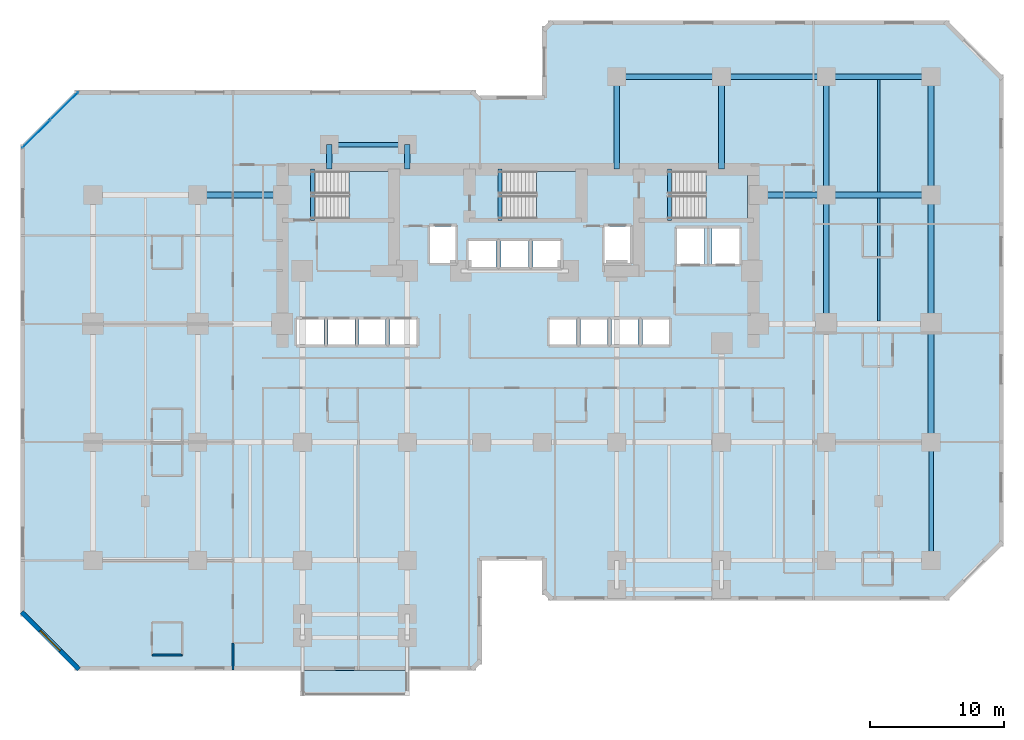
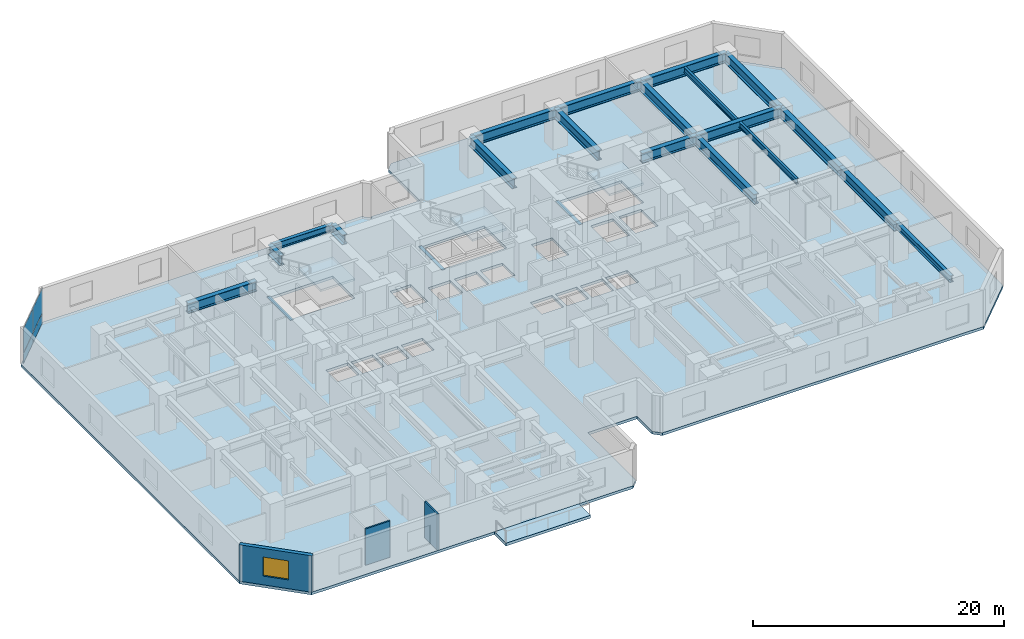
# One storey, part 4 of 12: 22 beams, 5 slabs, 4 plates, 3 walls, 1 window, 1 opening, 4 elements without a shape of their own.
"""IFC4 building model written with IfcOpenShell, lengths in metres."""

from ifc_helpers import new_model, si_unit, direction, frame, frame_2d, origin, origin_2d, place, context, subcontext, project, spatial, polyline, rectangle, i_section, outline, extrude, material, layer, layer_set, material_profile, profile_set, type_object, element, fill, aggregate, save


model = new_model("IFC4")

# Units and contexts
model_context = context("Model", 3, precision=1e-05, world=origin(), true_north=direction((0.0, 1.0)))
body_context = subcontext(model_context, "Body", "Model", "MODEL_VIEW")
ifc_project = project(units=[si_unit("LENGTHUNIT", "METRE"), si_unit("AREAUNIT", "SQUARE_METRE"), si_unit("VOLUMEUNIT", "CUBIC_METRE"), si_unit("PLANEANGLEUNIT", "RADIAN"), si_unit("MASSUNIT", "GRAM", prefix="KILO")], contexts=[model_context])

# Site, building, storey
site_placement = place(None, origin())
site = spatial("IfcSite", under=ifc_project, at=site_placement, CompositionType="ELEMENT")
building_placement = place(site_placement, origin())
building = spatial("IfcBuilding", under=site, at=building_placement, Name="Kestravale Grand Hotel", CompositionType="ELEMENT")
storey_placement = place(building_placement, frame((0.0, 0.0, 60.199951171875)))
storey = spatial("IfcBuildingStorey", under=building, at=storey_placement, Name="L14", CompositionType="ELEMENT", Elevation=60.199951171875)

# Beams
ifc_material_1 = material(Name="Steel ASTM A992 Grade 50", Category="steel")
ifc_material_profile_1 = material_profile(ifc_material_1, i_section(OverallWidth=0.2099609375, OverallDepth=0.535888671875, WebThickness=0.010986328125, FlangeThickness=0.017333984375, FilletRadius=0.017578125, at=origin_2d()))
ifc_profile_set_1 = profile_set([ifc_material_profile_1], Name="Steel ASTM A992 Grade 50")
beam_type_1 = type_object("IfcBeamType", Name="B-FLR-JST21", PredefinedType="JOIST", material=ifc_profile_set_1)
beam_1_placement = place(storey_placement, frame((66.300048828125, 29.011962890625, 3.27197265625), z_axis=(0.0, 1.0, 0.0), x_axis=(-1.0, 0.0, 0.0)))
element("IfcBeam", 1, at=beam_1_placement, inside=storey, type_object=beam_type_1, Name="L14 floor joist 10-11/E-F #1", PredefinedType="JOIST", context=body_context, shape_type="SweptSolid", body=[
    extrude(i_section(OverallWidth=0.2099609375, OverallDepth=0.535888671875, WebThickness=0.010986328125, FlangeThickness=0.017333984375, FilletRadius=0.017578125, at=origin_2d()), origin(), (0.0, 0.0, 1.0), 9.176025390625),
])
beam_2_placement = place(storey_placement, frame((66.300048828125, 38.612060546875, 3.27197265625), z_axis=(0.0, 1.0, 0.0), x_axis=(-1.0, 0.0, 0.0)))
element("IfcBeam", 2, at=beam_2_placement, inside=storey, type_object=beam_type_1, Name="L14 floor joist 10-11/F-G #1", PredefinedType="JOIST", context=body_context, shape_type="SweptSolid", body=[
    extrude(i_section(OverallWidth=0.2099609375, OverallDepth=0.535888671875, WebThickness=0.010986328125, FlangeThickness=0.017333984375, FilletRadius=0.017578125, at=origin_2d()), origin(), (0.0, 0.0, 1.0), 8.3759765625),
])
ifc_material_2 = material(Name="Concrete f'c 45 MPa", Category="concrete")
ifc_material_profile_2 = material_profile(ifc_material_2, rectangle(XDim=0.300048828125, YDim=0.39990234375, at=origin_2d()))
ifc_profile_set_2 = profile_set([ifc_material_profile_2], Name="Concrete f'c 45 MPa")
beam_type_2 = type_object("IfcBeamType", Name="B-FLR-LNT400", PredefinedType="LINTEL", material=ifc_profile_set_2)
for number, where, z_axis, x_axis, name in (
    (3, (24.159912109375, 36.52001953125, -0.199951171875), (0.0, 1.0, 0.0), (-1.0, 0.0, 0.0), "L14 ST1 flight bottom header beam"),
    (4, (38.110107421875, 36.52001953125, -0.199951171875), (0.0, 1.0, 0.0), (-1.0, 0.0, 0.0), "L14 ST2 flight bottom header beam"),
    (5, (50.7099609375, 36.52001953125, -0.199951171875), (0.0, 1.0, 0.0), (-1.0, 0.0, 0.0), "L14 ST3 flight bottom header beam"),
):
    element("IfcBeam", number, at=place(storey_placement, frame(where, z_axis=z_axis, x_axis=x_axis)), inside=storey, type_object=beam_type_2, Name=name, PredefinedType="LINTEL", context=body_context, shape_type="SweptSolid", body=[
        extrude(rectangle(XDim=0.300048828125, YDim=0.39990234375, at=origin_2d()), origin(), (0.0, 0.0, 1.0), 3.800048828125),
    ])
ifc_material_3 = material(Name="Steel ASTM A992 Grade 50", Category="steel")
ifc_material_profile_3 = material_profile(ifc_material_3, i_section(OverallWidth=0.324951171875, OverallDepth=0.612060546875, WebThickness=0.0126953125, FlangeThickness=0.01904296875, FilletRadius=0.018798828125, at=origin_2d()))
ifc_profile_set_3 = profile_set([ifc_material_profile_3], Name="Steel ASTM A992 Grade 50")
beam_type_3 = type_object("IfcBeamType", Name="B-FLR-W24A", PredefinedType="SPANDREL", material=ifc_profile_set_3)
beam_3_placement = place(storey_placement, frame((25.39990234375, 42.14990234375, 3.234130859375), z_axis=(1.0, 0.0, 0.0), x_axis=(0.0, 1.0, 0.0)))
element("IfcBeam", 6, at=beam_3_placement, inside=storey, type_object=beam_type_3, Name="L14 perimeter tie spandrel FN:4-5", PredefinedType="SPANDREL", context=body_context, shape_type="SweptSolid", body=[
    extrude(i_section(OverallWidth=0.324951171875, OverallDepth=0.612060546875, WebThickness=0.0126953125, FlangeThickness=0.01904296875, FilletRadius=0.018798828125, at=origin_2d()), origin(), (0.0, 0.0, 1.0), 5.800048828125),
])
beam_4_placement = place(storey_placement, frame((70.199951171875, 11.199951171875, 3.234130859375), z_axis=(0.0, 1.0, 0.0), x_axis=(-1.0, 0.0, 0.0)))
element("IfcBeam", 7, at=beam_4_placement, inside=storey, type_object=beam_type_3, Name="L14 spandrel 11:C-D", PredefinedType="SPANDREL", context=body_context, shape_type="SweptSolid", body=[
    extrude(i_section(OverallWidth=0.324951171875, OverallDepth=0.612060546875, WebThickness=0.0126953125, FlangeThickness=0.01904296875, FilletRadius=0.018798828125, at=origin_2d()), origin(), (0.0, 0.0, 1.0), 8.800048828125),
])
ifc_material_4 = material(Name="Steel ASTM A992 Grade 50", Category="steel")
ifc_material_profile_4 = material_profile(ifc_material_4, i_section(OverallWidth=0.424072265625, OverallDepth=0.947021484375, WebThickness=0.02392578125, FlangeThickness=0.042724609375, FilletRadius=0.0283203125, at=origin_2d()))
ifc_profile_set_4 = profile_set([ifc_material_profile_4], Name="Steel ASTM A992 Grade 50")
beam_type_4 = type_object("IfcBeamType", Name="B-GRD-W36", PredefinedType="BEAM", material=ifc_profile_set_4)
beam_5_placement = place(storey_placement, frame((15.60009765625, 38.39990234375, 3.066650390625), z_axis=(1.0, 0.0, 0.0), x_axis=(0.0, 1.0, 0.0)))
element("IfcBeam", 8, at=beam_5_placement, inside=storey, type_object=beam_type_4, Name="L14 girder F:3-CW", PredefinedType="BEAM", context=body_context, shape_type="SweptSolid", body=[
    extrude(i_section(OverallWidth=0.424072265625, OverallDepth=0.947021484375, WebThickness=0.02392578125, FlangeThickness=0.042724609375, FilletRadius=0.0283203125, at=origin_2d()), origin(), (0.0, 0.0, 1.0), 6.2998046875),
])
beam_6_placement = place(storey_placement, frame((57.35009765625, 38.39990234375, 3.066650390625), z_axis=(1.0, 0.0, 0.0), x_axis=(0.0, 1.0, 0.0)))
element("IfcBeam", 9, at=beam_6_placement, inside=storey, type_object=beam_type_4, Name="L14 girder F:CE-10", PredefinedType="BEAM", context=body_context, shape_type="SweptSolid", body=[
    extrude(i_section(OverallWidth=0.424072265625, OverallDepth=0.947021484375, WebThickness=0.02392578125, FlangeThickness=0.042724609375, FilletRadius=0.0283203125, at=origin_2d()), origin(), (0.0, 0.0, 1.0), 5.0498046875),
])
for number, where, z_axis, x_axis, name in (
    (10, (62.39990234375, 38.39990234375, 3.066650390625), (1.0, 0.0, 0.0), (0.0, 1.0, 0.0), "L14 girder F:10-11"),
    (11, (46.800048828125, 47.199951171875, 3.066650390625), (1.0, 0.0, 0.0), (0.0, 1.0, 0.0), "L14 girder G:8-9"),
):
    element("IfcBeam", number, at=place(storey_placement, frame(where, z_axis=z_axis, x_axis=x_axis)), inside=storey, type_object=beam_type_4, Name=name, PredefinedType="BEAM", context=body_context, shape_type="SweptSolid", body=[
        extrude(i_section(OverallWidth=0.424072265625, OverallDepth=0.947021484375, WebThickness=0.02392578125, FlangeThickness=0.042724609375, FilletRadius=0.0283203125, at=origin_2d()), origin(), (0.0, 0.0, 1.0), 7.800048828125),
    ])
beam_7_placement = place(storey_placement, frame((54.60009765625, 47.199951171875, 3.066650390625), z_axis=(1.0, 0.0, 0.0), x_axis=(0.0, 1.0, 0.0)))
element("IfcBeam", 12, at=beam_7_placement, inside=storey, type_object=beam_type_4, Name="L14 girder G:9-10", PredefinedType="BEAM", context=body_context, shape_type="SweptSolid", body=[
    extrude(i_section(OverallWidth=0.424072265625, OverallDepth=0.947021484375, WebThickness=0.02392578125, FlangeThickness=0.042724609375, FilletRadius=0.0283203125, at=origin_2d()), origin(), (0.0, 0.0, 1.0), 7.7998046875),
])
beam_8_placement = place(storey_placement, frame((62.39990234375, 47.199951171875, 3.066650390625), z_axis=(1.0, 0.0, 0.0), x_axis=(0.0, 1.0, 0.0)))
element("IfcBeam", 13, at=beam_8_placement, inside=storey, type_object=beam_type_4, Name="L14 girder G:10-11", PredefinedType="BEAM", context=body_context, shape_type="SweptSolid", body=[
    extrude(i_section(OverallWidth=0.424072265625, OverallDepth=0.947021484375, WebThickness=0.02392578125, FlangeThickness=0.042724609375, FilletRadius=0.0283203125, at=origin_2d()), origin(), (0.0, 0.0, 1.0), 7.800048828125),
])
beam_9_placement = place(storey_placement, frame((62.39990234375, 28.800048828125, 3.066650390625), z_axis=(0.0, 1.0, 0.0), x_axis=(-1.0, 0.0, 0.0)))
element("IfcBeam", 14, at=beam_9_placement, inside=storey, type_object=beam_type_4, Name="L14 girder 10:E-F", PredefinedType="BEAM", context=body_context, shape_type="SweptSolid", body=[
    extrude(i_section(OverallWidth=0.424072265625, OverallDepth=0.947021484375, WebThickness=0.02392578125, FlangeThickness=0.042724609375, FilletRadius=0.0283203125, at=origin_2d()), origin(), (0.0, 0.0, 1.0), 9.599853515625),
])
for number, where, z_axis, x_axis, name in (
    (15, (62.39990234375, 38.39990234375, 3.066650390625), (0.0, 1.0, 0.0), (-1.0, 0.0, 0.0), "L14 girder 10:F-G"),
    (16, (70.199951171875, 20.0, 3.066650390625), (0.0, 1.0, 0.0), (-1.0, 0.0, 0.0), "L14 girder 11:D-E"),
):
    element("IfcBeam", number, at=place(storey_placement, frame(where, z_axis=z_axis, x_axis=x_axis)), inside=storey, type_object=beam_type_4, Name=name, PredefinedType="BEAM", context=body_context, shape_type="SweptSolid", body=[
        extrude(i_section(OverallWidth=0.424072265625, OverallDepth=0.947021484375, WebThickness=0.02392578125, FlangeThickness=0.042724609375, FilletRadius=0.0283203125, at=origin_2d()), origin(), (0.0, 0.0, 1.0), 8.800048828125),
    ])
beam_10_placement = place(storey_placement, frame((70.199951171875, 28.800048828125, 3.066650390625), z_axis=(0.0, 1.0, 0.0), x_axis=(-1.0, 0.0, 0.0)))
element("IfcBeam", 17, at=beam_10_placement, inside=storey, type_object=beam_type_4, Name="L14 girder 11:E-F", PredefinedType="BEAM", context=body_context, shape_type="SweptSolid", body=[
    extrude(i_section(OverallWidth=0.424072265625, OverallDepth=0.947021484375, WebThickness=0.02392578125, FlangeThickness=0.042724609375, FilletRadius=0.0283203125, at=origin_2d()), origin(), (0.0, 0.0, 1.0), 9.599853515625),
])
beam_11_placement = place(storey_placement, frame((70.199951171875, 38.39990234375, 3.066650390625), z_axis=(0.0, 1.0, 0.0), x_axis=(-1.0, 0.0, 0.0)))
element("IfcBeam", 18, at=beam_11_placement, inside=storey, type_object=beam_type_4, Name="L14 girder 11:F-G", PredefinedType="BEAM", context=body_context, shape_type="SweptSolid", body=[
    extrude(i_section(OverallWidth=0.424072265625, OverallDepth=0.947021484375, WebThickness=0.02392578125, FlangeThickness=0.042724609375, FilletRadius=0.0283203125, at=origin_2d()), origin(), (0.0, 0.0, 1.0), 8.800048828125),
])
for number, where, z_axis, x_axis, name in (
    (19, (25.39990234375, 40.320068359375, 3.066650390625), (0.0, 1.0, 0.0), (-1.0, 0.0, 0.0), "L14 north wing tie girder 4:CN-FN"),
    (20, (31.199951171875, 40.320068359375, 3.066650390625), (0.0, 1.0, 0.0), (-1.0, 0.0, 0.0), "L14 north wing tie girder 5:CN-FN"),
):
    element("IfcBeam", number, at=place(storey_placement, frame(where, z_axis=z_axis, x_axis=x_axis)), inside=storey, type_object=beam_type_4, Name=name, PredefinedType="BEAM", context=body_context, shape_type="SweptSolid", body=[
        extrude(i_section(OverallWidth=0.424072265625, OverallDepth=0.947021484375, WebThickness=0.02392578125, FlangeThickness=0.042724609375, FilletRadius=0.0283203125, at=origin_2d()), origin(), (0.0, 0.0, 1.0), 1.829833984375),
    ])
for number, where, z_axis, x_axis, name in (
    (21, (46.800048828125, 40.320068359375, 3.066650390625), (0.0, 1.0, 0.0), (-1.0, 0.0, 0.0), "L14 north wing tie girder 8:CN-G"),
    (22, (54.60009765625, 40.320068359375, 3.066650390625), (0.0, 1.0, 0.0), (-1.0, 0.0, 0.0), "L14 north wing tie girder 9:CN-G"),
):
    element("IfcBeam", number, at=place(storey_placement, frame(where, z_axis=z_axis, x_axis=x_axis)), inside=storey, type_object=beam_type_4, Name=name, PredefinedType="BEAM", context=body_context, shape_type="SweptSolid", body=[
        extrude(i_section(OverallWidth=0.424072265625, OverallDepth=0.947021484375, WebThickness=0.02392578125, FlangeThickness=0.042724609375, FilletRadius=0.0283203125, at=origin_2d()), origin(), (0.0, 0.0, 1.0), 6.8798828125),
    ])

# Curtain wall, plates
ifc_material_5 = material(Name="Thermally broken champagne-bronze aluminium and low-E glazing", Category="aluminium")
ifc_layer_1 = layer(ifc_material_5, 0.199951171875)
ifc_layer_set_1 = layer_set([ifc_layer_1], Name="CW-Z1")
curtain_wall_type = type_object("IfcCurtainWallType", Name="CW-Z1", PredefinedType="NOTDEFINED", material=ifc_layer_set_1)
curtain_wall_placement = place(storey_placement, origin())
curtain_wall = element("IfcCurtainWall", 23, at=curtain_wall_placement, inside=storey, type_object=curtain_wall_type, Name="L14 unitised curtain wall 18", PredefinedType="NOTDEFINED")
ifc_material_6 = material(Name="Insulated clear low-E double glazing IGU", Category="glass")
ifc_layer_2 = layer(ifc_material_6, 0.035888671875)
ifc_layer_set_2 = layer_set([ifc_layer_2], Name="CW-PNL-36")
plate_type = type_object("IfcPlateType", Name="CW-PNL-36", PredefinedType="CURTAIN_PANEL", material=ifc_layer_set_2)
plate_1_placement = place(storey_placement, frame((5.6640625, 45.023681640625, 0.074951171875), z_axis=(0.0, 0.0, 1.0), x_axis=(-0.707106781187, -0.707106781187, 0.0)))
plate_1 = element("IfcPlate", 24, at=plate_1_placement, type_object=plate_type, Name="CW-Z1 panel 1.1", PredefinedType="CURTAIN_PANEL", context=body_context, shape_type="SweptSolid", body=[
    extrude(rectangle(XDim=2.87744140625, YDim=0.035888671875, at=origin_2d()), origin(), (0.0, 0.0, 1.0), 0.9375),
])
plate_2_placement = place(storey_placement, frame((5.6640625, 45.023681640625, 1.087646484375), z_axis=(0.0, 0.0, 1.0), x_axis=(-0.707106781187, -0.707106781187, 0.0)))
plate_2 = element("IfcPlate", 25, at=plate_2_placement, type_object=plate_type, Name="CW-Z1 panel 1.2", PredefinedType="CURTAIN_PANEL", context=body_context, shape_type="SweptSolid", body=[
    extrude(rectangle(XDim=2.87744140625, YDim=0.035888671875, at=origin_2d()), origin(), (0.0, 0.0, 1.0), 2.37744140625),
])
plate_3_placement = place(storey_placement, frame((3.576416015625, 42.93603515625, 0.074951171875), z_axis=(0.0, 0.0, 1.0), x_axis=(-0.707106781187, -0.707106781187, 0.0)))
plate_3 = element("IfcPlate", 26, at=plate_3_placement, type_object=plate_type, Name="CW-Z1 panel 2.1", PredefinedType="CURTAIN_PANEL", context=body_context, shape_type="SweptSolid", body=[
    extrude(rectangle(XDim=2.87744140625, YDim=0.035888671875, at=origin_2d()), origin(), (0.0, 0.0, 1.0), 0.9375),
])
plate_4_placement = place(storey_placement, frame((3.576416015625, 42.93603515625, 1.087646484375), z_axis=(0.0, 0.0, 1.0), x_axis=(-0.707106781187, -0.707106781187, 0.0)))
plate_4 = element("IfcPlate", 27, at=plate_4_placement, type_object=plate_type, Name="CW-Z1 panel 2.2", PredefinedType="CURTAIN_PANEL", context=body_context, shape_type="SweptSolid", body=[
    extrude(rectangle(XDim=2.87744140625, YDim=0.035888671875, at=origin_2d()), origin(), (0.0, 0.0, 1.0), 2.37744140625),
])
aggregate(curtain_wall, [plate_1, plate_2, plate_3, plate_4])

# Slab
ifc_material_7 = material(Name="Concrete f'c 45 MPa", Category="concrete")
ifc_layer_3 = layer(ifc_material_7, 0.27001953125)
ifc_layer_set_3 = layer_set([ifc_layer_3], Name="ES-TERR-270")
slab_type_1 = type_object("IfcSlabType", Name="ES-TERR-270", PredefinedType="FLOOR", material=ifc_layer_set_3)
slab_1_placement = place(storey_placement, frame((0.0, 0.0, -0.27001953125)))
element("IfcSlab", 28, at=slab_1_placement, inside=storey, type_object=slab_type_1, Name="L14 spiralling planted garden terrace", PredefinedType="FLOOR", context=body_context, shape_type="SweptSolid", body=[
    extrude(outline(polyline([(23.39990234375, 1.14990234375), (31.199951171875, 1.14990234375), (31.199951171875, 3.0), (23.39990234375, 3.0), (23.39990234375, 1.14990234375)])), origin(), (0.0, 0.0, 1.0), 0.27001953125),
])

# Stair, slab
ifc_material_8 = material(Name="Concrete f'c 45 MPa", Category="concrete")
stair_type = type_object("IfcStairType", Name="ST-CORE-380", PredefinedType="HALF_TURN_STAIR", material=ifc_material_8)
stair_1_placement = place(storey_placement, origin())
stair_1 = element("IfcStair", 29, at=stair_1_placement, inside=storey, type_object=stair_type, Name="L14 ST-1", PredefinedType="HALF_TURN_STAIR")
ifc_material_9 = material(Name="Concrete f'c 45 MPa", Category="concrete")
ifc_layer_4 = layer(ifc_material_9, 0.199951171875)
ifc_layer_set_4 = layer_set([ifc_layer_4], Name="SLB-ST-LND200")
slab_type_2 = type_object("IfcSlabType", Name="SLB-ST-LND200", PredefinedType="LANDING", material=ifc_layer_set_4)
slab_2_placement = place(storey_placement, frame((0.0, 0.0, 1.699951171875)))
slab_2 = element("IfcSlab", 30, at=slab_2_placement, type_object=slab_type_2, Name="ST-1 landing 1", PredefinedType="LANDING", context=body_context, shape_type="SweptSolid", body=[
    extrude(outline(polyline([(26.8798828125, 36.64990234375), (30.0, 36.64990234375), (30.0, 40.159912109375), (26.8798828125, 40.159912109375), (26.8798828125, 36.64990234375)])), origin(), (0.0, 0.0, 1.0), 0.2001953125),
])
aggregate(stair_1, [slab_2])

stair_2_placement = place(storey_placement, origin())
stair_2 = element("IfcStair", 31, at=stair_2_placement, inside=storey, type_object=stair_type, Name="L14 ST-2", PredefinedType="HALF_TURN_STAIR")
slab_3_placement = place(storey_placement, frame((0.0, 0.0, 1.699951171875)))
slab_3 = element("IfcSlab", 32, at=slab_3_placement, type_object=slab_type_2, Name="ST-2 landing 1", PredefinedType="LANDING", context=body_context, shape_type="SweptSolid", body=[
    extrude(outline(polyline([(40.830078125, 36.64990234375), (43.949951171875, 36.64990234375), (43.949951171875, 40.159912109375), (40.830078125, 40.159912109375), (40.830078125, 36.64990234375)])), origin(), (0.0, 0.0, 1.0), 0.2001953125),
])
aggregate(stair_2, [slab_3])

stair_3_placement = place(storey_placement, origin())
stair_3 = element("IfcStair", 33, at=stair_3_placement, inside=storey, type_object=stair_type, Name="L14 ST-3", PredefinedType="HALF_TURN_STAIR")
slab_4_placement = place(storey_placement, frame((0.0, 0.0, 1.699951171875)))
slab_4 = element("IfcSlab", 34, at=slab_4_placement, type_object=slab_type_2, Name="ST-3 landing 1", PredefinedType="LANDING", context=body_context, shape_type="SweptSolid", body=[
    extrude(outline(polyline([(53.429931640625, 36.64990234375), (56.550048828125, 36.64990234375), (56.550048828125, 40.159912109375), (53.429931640625, 40.159912109375), (53.429931640625, 36.64990234375)])), origin(), (0.0, 0.0, 1.0), 0.2001953125),
])
aggregate(stair_3, [slab_4])

# Slab
ifc_material_10 = material(Name="Concrete f'c 45 MPa", Category="concrete")
ifc_layer_5 = layer(ifc_material_10, 0.260009765625)
ifc_layer_set_5 = layer_set([ifc_layer_5], Name="SS-FLR-260")
slab_type_3 = type_object("IfcSlabType", Name="SS-FLR-260", PredefinedType="FLOOR", material=ifc_layer_set_5)
slab_5_placement = place(storey_placement, frame((0.0, 0.0, -0.260009765625)))
element("IfcSlab", 35, at=slab_5_placement, inside=storey, type_object=slab_type_3, Name="L14 structural floor slab", PredefinedType="FLOOR", context=body_context, shape_type="SweptSolid", body=[
    extrude(outline(polyline([(6.60009765625, 3.0), (36.14990234375, 3.0), (36.75, 3.60009765625), (36.75, 11.199951171875), (41.25, 11.199951171875), (41.25, 8.800048828125), (41.85009765625, 8.199951171875), (71.39990234375, 8.199951171875), (75.60009765625, 12.39990234375), (75.60009765625, 47.199951171875), (71.39990234375, 51.39990234375), (41.85009765625, 51.39990234375), (41.25, 50.800048828125), (41.25, 45.800048828125), (36.75, 45.800048828125), (36.75, 45.60009765625), (36.14990234375, 46.199951171875), (6.60009765625, 46.199951171875), (2.39990234375, 42.0), (2.39990234375, 7.199951171875), (6.60009765625, 3.0)]), holes=[polyline([(24.080078125, 36.64990234375), (30.0, 36.64990234375), (30.0, 40.159912109375), (24.080078125, 40.159912109375), (24.080078125, 36.64990234375)]), polyline([(38.030029296875, 36.64990234375), (43.949951171875, 36.64990234375), (43.949951171875, 40.159912109375), (38.030029296875, 40.159912109375), (38.030029296875, 36.64990234375)]), polyline([(50.6298828125, 36.64990234375), (56.550048828125, 36.64990234375), (56.550048828125, 40.159912109375), (50.6298828125, 40.159912109375), (50.6298828125, 36.64990234375)]), polyline([(23.0048828125, 27.280029296875), (24.9951171875, 27.280029296875), (24.9951171875, 29.1201171875), (23.0048828125, 29.1201171875), (23.0048828125, 27.280029296875)]), polyline([(25.304931640625, 27.280029296875), (27.294921875, 27.280029296875), (27.294921875, 29.1201171875), (25.304931640625, 29.1201171875), (25.304931640625, 27.280029296875)]), polyline([(27.60498046875, 27.280029296875), (29.594970703125, 27.280029296875), (29.594970703125, 29.1201171875), (27.60498046875, 29.1201171875), (27.60498046875, 27.280029296875)]), polyline([(29.905029296875, 27.280029296875), (31.89501953125, 27.280029296875), (31.89501953125, 29.1201171875), (29.905029296875, 29.1201171875), (29.905029296875, 27.280029296875)]), polyline([(41.804931640625, 27.280029296875), (43.794921875, 27.280029296875), (43.794921875, 29.1201171875), (41.804931640625, 29.1201171875), (41.804931640625, 27.280029296875)]), polyline([(44.10498046875, 27.280029296875), (46.094970703125, 27.280029296875), (46.094970703125, 29.1201171875), (44.10498046875, 29.1201171875), (44.10498046875, 27.280029296875)]), polyline([(46.405029296875, 27.280029296875), (48.39501953125, 27.280029296875), (48.39501953125, 29.1201171875), (46.405029296875, 29.1201171875), (46.405029296875, 27.280029296875)]), polyline([(48.705078125, 27.280029296875), (50.695068359375, 27.280029296875), (50.695068359375, 29.1201171875), (48.705078125, 29.1201171875), (48.705078125, 27.280029296875)]), polyline([(35.780029296875, 33.030029296875), (37.820068359375, 33.030029296875), (37.820068359375, 34.969970703125), (35.780029296875, 34.969970703125), (35.780029296875, 33.030029296875)]), polyline([(38.179931640625, 33.030029296875), (40.219970703125, 33.030029296875), (40.219970703125, 34.969970703125), (38.179931640625, 34.969970703125), (38.179931640625, 33.030029296875)]), polyline([(40.580078125, 33.030029296875), (42.6201171875, 33.030029296875), (42.6201171875, 34.969970703125), (40.580078125, 34.969970703125), (40.580078125, 33.030029296875)]), polyline([(32.905029296875, 33.35498046875), (34.794921875, 33.35498046875), (34.794921875, 36.044921875), (32.905029296875, 36.044921875), (32.905029296875, 33.35498046875)]), polyline([(45.905029296875, 33.35498046875), (47.794921875, 33.35498046875), (47.794921875, 36.044921875), (45.905029296875, 36.044921875), (45.905029296875, 33.35498046875)]), polyline([(51.280029296875, 33.280029296875), (53.320068359375, 33.280029296875), (53.320068359375, 35.919921875), (51.280029296875, 35.919921875), (51.280029296875, 33.280029296875)]), polyline([(53.8798828125, 33.280029296875), (55.919921875, 33.280029296875), (55.919921875, 35.919921875), (53.8798828125, 35.919921875), (53.8798828125, 33.280029296875)])]), origin(), (0.0, 0.0, 1.0), 0.260009765625),
])

# Wall, opening, window
ifc_material_11 = material(Name="Precast concrete f'c 45 MPa", Category="concrete")
ifc_layer_6 = layer(ifc_material_11, 0.340087890625)
ifc_layer_set_6 = layer_set([ifc_layer_6], Name="EW-PREC-340")
wall_type_1 = type_object("IfcWallType", Name="EW-PREC-340", PredefinedType="SOLIDWALL", material=ifc_layer_set_6)
wall_1_placement = place(storey_placement, frame((2.491943359375, 7.348388671875, 0.0), z_axis=(0.0, 0.0, 1.0), x_axis=(0.707106781187, -0.707106781187, 0.0)))
wall_1 = element("IfcWall", 36, at=wall_1_placement, inside=storey, type_object=wall_type_1, Name="L14 fluted precast facade wall 20", PredefinedType="SOLIDWALL", context=body_context, shape_type="SweptSolid", body=[
    extrude(rectangle(XDim=6.019775390625, YDim=0.340087890625, at=frame_2d((3.009765625, 0.0))), origin(), (0.0, 0.0, 1.0), 3.5400390625),
])
opening_placement = place(wall_1_placement, frame((1.9599609375, 0.0, 0.85009765625)))
opening = element("IfcOpeningElement", 37, at=opening_placement, cuts=wall_1, Name="Opening W-GUEST-2100", PredefinedType="OPENING", context=body_context, shape_type="SweptSolid", body=[
    extrude(rectangle(XDim=2.10009765625, YDim=1.85009765625, at=frame_2d((1.050048828125, 0.925048828125))), frame((0.0, 0.179931640625, 0.0), z_axis=(0.0, -1.0, 0.0), x_axis=(1.0, 0.0, 0.0)), (0.0, 0.0, 1.0), 0.360107421875),
])
ifc_material_12 = material(Name="Insulated low-E double glazing in aluminium frame", Category="aluminium")
window_type = type_object("IfcWindowType", Name="W-GUEST-2100", PartitioningType="DOUBLE_PANEL_VERTICAL", PredefinedType="WINDOW", material=ifc_material_12)
window_placement = place(opening_placement, origin())
window = element("IfcWindow", 38, at=window_placement, inside=storey, type_object=window_type, Name="L14 exterior window 20.1", OverallHeight=1.85009765625, OverallWidth=2.10009765625, PartitioningType="SINGLE_PANEL", PredefinedType="WINDOW", context=body_context, shape_type="SweptSolid", body=[
    extrude(rectangle(XDim=2.10009765625, YDim=1.85009765625, at=frame_2d((1.050048828125, 0.925048828125))), frame((0.0, 0.030029296875, 0.0), z_axis=(0.0, -1.0, 0.0), x_axis=(1.0, 0.0, 0.0)), (0.0, 0.0, 1.0), 0.06005859375),
])
fill(opening, window)

# Walls
ifc_material_13 = material(Name="Moisture-resistant tile-backer plumbing chase wall", Category="other")
ifc_layer_7 = layer(ifc_material_13, 0.139892578125)
ifc_layer_set_7 = layer_set([ifc_layer_7], Name="IW-PLB-140")
wall_type_2 = type_object("IfcWallType", Name="IW-PLB-140", PredefinedType="PLUMBINGWALL", material=ifc_layer_set_7)
wall_2_placement = place(storey_placement, frame((12.199951171875, 4.14990234375, 0.0), z_axis=(0.0, 0.0, 1.0), x_axis=(1.0, 0.0, 0.0)))
element("IfcWall", 39, at=wall_2_placement, inside=storey, type_object=wall_type_2, Name="W-L14-U05-BS", PredefinedType="PLUMBINGWALL", context=body_context, shape_type="SweptSolid", body=[
    extrude(rectangle(XDim=2.25, YDim=0.139892578125, at=frame_2d((1.125, 0.0))), origin(), (0.0, 0.0, 1.0), 3.5400390625),
])
ifc_material_14 = material(Name="Double-stud STC 52 acoustic demising partition", Category="other")
ifc_layer_8 = layer(ifc_material_14, 0.14990234375)
ifc_layer_set_8 = layer_set([ifc_layer_8], Name="IW-UNIT-150")
wall_type_3 = type_object("IfcWallType", Name="IW-UNIT-150", PredefinedType="PARTITIONING", material=ifc_layer_set_8)
wall_3_placement = place(storey_placement, frame((18.239990234375, 3.02001953125, 0.0), z_axis=(0.0, 0.0, 1.0), x_axis=(0.0, 1.0, 0.0)))
element("IfcWall", 40, at=wall_3_placement, inside=storey, type_object=wall_type_3, Name="W-L14-SW-EXT", PredefinedType="PARTITIONING", context=body_context, shape_type="SweptSolid", body=[
    extrude(rectangle(XDim=2.030029296875, YDim=0.14990234375, at=frame_2d((1.01513671875, 0.0))), origin(), (0.0, 0.0, 1.0), 3.5400390625),
])

save(model, "model.ifc")
